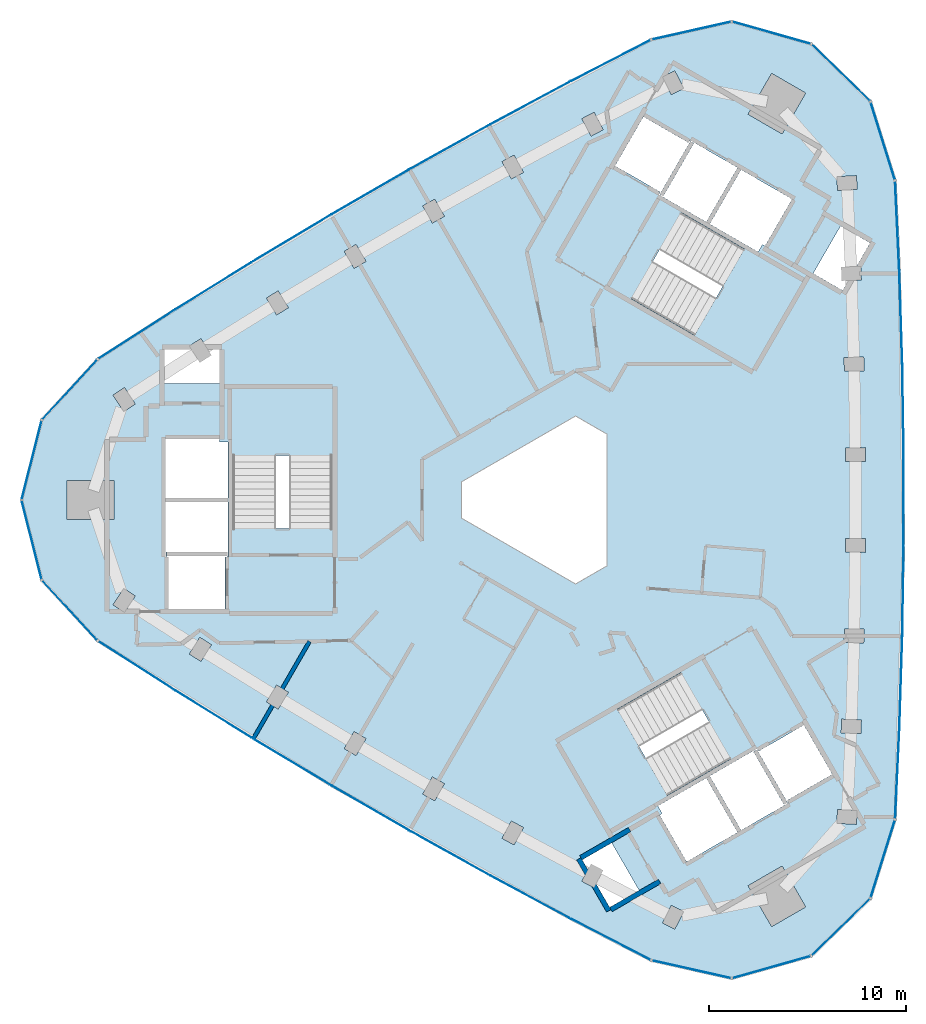
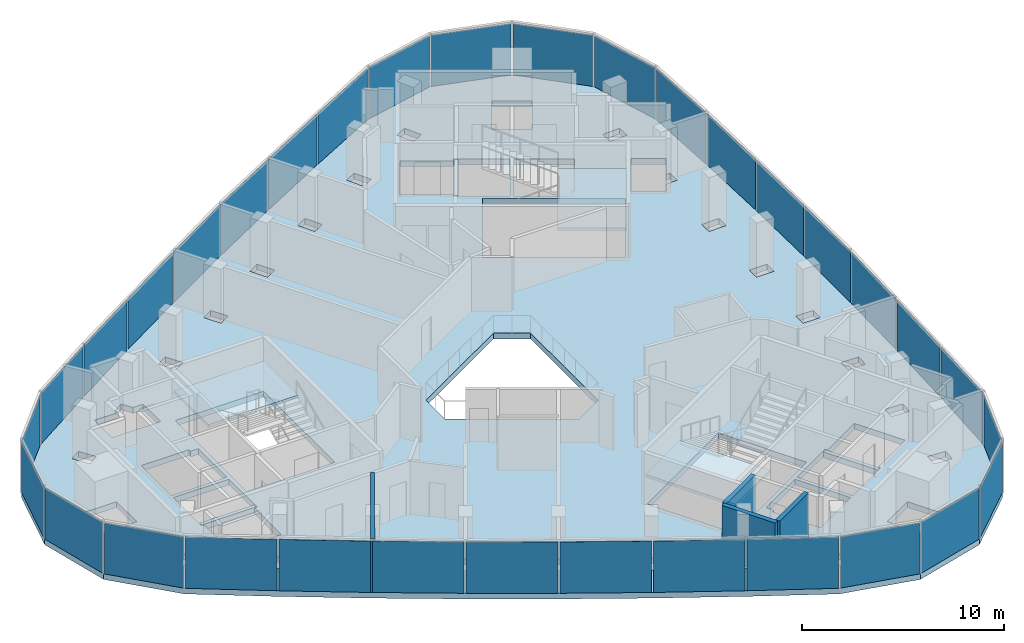
# One storey, part 5 of 10: 33 plates, 4 slabs, 4 walls, 6 elements without a shape of their own.
"""IFC4 building model written with IfcOpenShell, lengths in metres."""

from ifc_helpers import new_model, si_unit, direction, frame, frame_2d, origin, origin_2d, place, context, subcontext, project, spatial, polyline, rectangle, outline, extrude, material, layer, layer_set, type_object, element, aggregate, save


model = new_model("IFC4")

# Units and contexts
model_context = context("Model", 3, precision=1e-05, world=origin(), true_north=direction((0.0, 1.0)))
body_context = subcontext(model_context, "Body", "Model", "MODEL_VIEW")
ifc_project = project(units=[si_unit("LENGTHUNIT", "METRE"), si_unit("AREAUNIT", "SQUARE_METRE"), si_unit("VOLUMEUNIT", "CUBIC_METRE"), si_unit("PLANEANGLEUNIT", "RADIAN"), si_unit("MASSUNIT", "GRAM", prefix="KILO")], contexts=[model_context])

# Site, building, storey
site_placement = place(None, origin())
site = spatial("IfcSite", under=ifc_project, at=site_placement, CompositionType="ELEMENT")
building_placement = place(site_placement, origin())
building = spatial("IfcBuilding", under=site, at=building_placement, Name="Tamra Quay Hotel Tower", CompositionType="ELEMENT")
storey_placement = place(building_placement, frame((0.0, 0.0, 276.60009765625)))
storey = spatial("IfcBuildingStorey", under=building, at=storey_placement, Name="L70", CompositionType="ELEMENT", Elevation=276.60009765625)

# Stair, slab
ifc_material_1 = material(Name="Exit stair 2200 24 risers 150.0 going 342")
stair_type = type_object("IfcStairType", Name="Exit stair 2200 24 risers 150.0 going 342", PredefinedType="HALF_TURN_STAIR", material=ifc_material_1)
stair_1_placement = place(storey_placement, origin())
stair_1 = element("IfcStair", 1, at=stair_1_placement, inside=storey, type_object=stair_type, Name="L70 Exit stair ST3", PredefinedType="HALF_TURN_STAIR")
ifc_material_2 = material(Name="Concrete M70", Category="concrete")
ifc_layer_1 = layer(ifc_material_2, 0.175048828125)
ifc_layer_set_1 = layer_set([ifc_layer_1], Name="Concrete M70 stair landing 180")
slab_type_1 = type_object("IfcSlabType", Name="Concrete M70 stair landing 180", PredefinedType="LANDING", material=ifc_layer_set_1)
slab_1_placement = place(storey_placement, frame((0.0, 0.0, 1.625)))
slab_1 = element("IfcSlab", 2, at=slab_1_placement, type_object=slab_type_1, Name="ST3 landing 1", PredefinedType="LANDING", context=body_context, shape_type="SweptSolid", body=[
    extrude(outline(polyline([(-10.932373046875, 2.261962890625), (-10.932373046875, 5.679931640625), (-16.09130859375, 5.679931640625), (-16.09130859375, 2.261962890625), (-10.932373046875, 2.261962890625)])), origin(), (0.0, 0.0, 1.0), 0.1748046875),
])
aggregate(stair_1, [slab_1])

stair_2_placement = place(storey_placement, origin())
stair_2 = element("IfcStair", 3, at=stair_2_placement, inside=storey, type_object=stair_type, Name="L70 Exit stair ST1", PredefinedType="HALF_TURN_STAIR")
slab_2_placement = place(storey_placement, frame((0.0, 0.0, 1.625)))
slab_2 = element("IfcSlab", 4, at=slab_2_placement, type_object=slab_type_1, Name="ST1 landing 1", PredefinedType="LANDING", context=body_context, shape_type="SweptSolid", body=[
    extrude(outline(polyline([(7.425048828125, 8.336669921875), (10.385009765625, 6.627685546875), (12.964599609375, 11.095458984375), (10.00439453125, 12.804443359375), (7.425048828125, 8.336669921875)])), origin(), (0.0, 0.0, 1.0), 0.1748046875),
])
aggregate(stair_2, [slab_2])

stair_3_placement = place(storey_placement, origin())
stair_3 = element("IfcStair", 5, at=stair_3_placement, inside=storey, type_object=stair_type, Name="L70 Exit stair ST2", PredefinedType="HALF_TURN_STAIR")
slab_3_placement = place(storey_placement, frame((0.0, 0.0, 1.625)))
slab_3 = element("IfcSlab", 6, at=slab_3_placement, type_object=slab_type_1, Name="ST2 landing 1", PredefinedType="LANDING", context=body_context, shape_type="SweptSolid", body=[
    extrude(outline(polyline([(3.50732421875, -10.5986328125), (0.547119140625, -12.3076171875), (3.126708984375, -16.775390625), (6.086669921875, -15.06640625), (3.50732421875, -10.5986328125)])), origin(), (0.0, 0.0, 1.0), 0.1748046875),
])
aggregate(stair_3, [slab_3])

# Slab
ifc_material_3 = material(Name="Concrete M60", Category="concrete")
ifc_layer_2 = layer(ifc_material_3, 0.35009765625)
ifc_layer_set_2 = layer_set([ifc_layer_2], Name="FLOOR SLAB PT 350")
slab_type_2 = type_object("IfcSlabType", Name="FLOOR SLAB PT 350", PredefinedType="FLOOR", material=ifc_layer_set_2)
slab_4_placement = place(storey_placement, frame((0.0, 0.0, -0.35009765625)))
element("IfcSlab", 7, at=slab_4_placement, inside=storey, type_object=slab_type_2, Name="SLAB-L70", PredefinedType="FLOOR", context=body_context, shape_type="SweptSolid", body=[
    extrude(outline(polyline([(17.8662109375, 11.60986328125), (18.011474609375, 6.968017578125), (18.083984375, 2.322998046875), (18.083984375, -2.322998046875), (18.011474609375, -6.968017578125), (17.8662109375, -11.60986328125), (17.648681640625, -16.25146484375), (16.39599609375, -20.2587890625), (13.38671875, -23.186279296875), (9.346435546875, -24.32861328125), (5.249755859375, -23.409912109375), (1.121337890625, -21.277587890625), (-2.97119140625, -19.08251953125), (-7.0302734375, -16.82275390625), (-11.0537109375, -14.499755859375), (-15.040283203125, -12.1142578125), (-18.98779296875, -9.667724609375), (-22.898681640625, -7.15869140625), (-25.742431640625, -4.070068359375), (-26.7734375, 0.0), (-25.742431640625, 4.070068359375), (-22.898681640625, 7.15869140625), (-18.98779296875, 9.667724609375), (-15.040283203125, 12.1142578125), (-11.0537109375, 14.499755859375), (-7.0302734375, 16.82275390625), (-2.97119140625, 19.08251953125), (1.121337890625, 21.277587890625), (5.249755859375, 23.409912109375), (9.346435546875, 24.32861328125), (13.38671875, 23.186279296875), (16.39599609375, 20.2587890625), (17.648681640625, 16.25146484375), (17.8662109375, 11.60986328125)]), holes=[polyline([(-10.3671875, -12.641357421875), (-9.763671875, -12.99609375), (-9.2568359375, -12.13427734375), (-9.8603515625, -11.779296875), (-10.3671875, -12.641357421875)]), polyline([(-14.324462890625, -10.26708984375), (-13.7265625, -10.63134765625), (-13.206298828125, -9.77734375), (-13.803955078125, -9.4130859375), (-14.324462890625, -10.26708984375)]), polyline([(-18.244140625, -7.831298828125), (-17.652099609375, -8.20458984375), (-17.118896484375, -7.358642578125), (-17.7109375, -6.9853515625), (-18.244140625, -7.831298828125)]), polyline([(-21.57861328125, -4.497314453125), (-22.125244140625, -5.33447265625), (-21.539306640625, -5.71728515625), (-20.992431640625, -4.880126953125), (-21.57861328125, -4.497314453125)]), polyline([(-16.3173828125, -2.85498046875), (-19.4072265625, -2.85498046875), (-19.4072265625, -2.89306640625), (-19.307373046875, -2.89306640625), (-19.307373046875, -5.544921875), (-16.417236328125, -5.544921875), (-16.417236328125, -2.89306640625), (-16.3173828125, -2.89306640625), (-16.3173828125, -2.85498046875)]), polyline([(-19.417236328125, -2.64501953125), (-16.307373046875, -2.64501953125), (-16.307373046875, -2.89306640625), (-16.26708984375, -2.89306640625), (-16.26708984375, -0.10498046875), (-19.45751953125, -0.10498046875), (-19.45751953125, -2.89306640625), (-19.417236328125, -2.89306640625), (-19.417236328125, -2.64501953125)]), polyline([(-24.473388671875, 1.0), (-24.473388671875, -1.0), (-22.073486328125, -1.0), (-22.073486328125, 1.0), (-24.473388671875, 1.0)]), polyline([(-16.707275390625, 2.945068359375), (-16.707275390625, 3.09521484375), (-19.45751953125, 3.09521484375), (-19.45751953125, 0.10498046875), (-16.26708984375, 0.10498046875), (-16.26708984375, 2.945068359375), (-16.707275390625, 2.945068359375)]), polyline([(-16.036376953125, -1.455078125), (-10.9873046875, -1.455078125), (-10.9873046875, 5.625), (-16.036376953125, 5.625), (-16.036376953125, -1.455078125)]), polyline([(-20.992431640625, 4.880126953125), (-21.539306640625, 5.71728515625), (-22.125244140625, 5.33447265625), (-21.57861328125, 4.497314453125), (-20.992431640625, 4.880126953125)]), polyline([(-17.29931640625, 7.64501953125), (-17.652099609375, 8.20458984375), (-18.244140625, 7.831298828125), (-18.126708984375, 7.64501953125), (-19.50732421875, 7.64501953125), (-19.50732421875, 5.9150390625), (-16.71728515625, 5.9150390625), (-16.71728515625, 7.64501953125), (-17.29931640625, 7.64501953125)]), polyline([(-13.7265625, 10.63134765625), (-14.324462890625, 10.26708984375), (-13.803955078125, 9.4130859375), (-13.206298828125, 9.77734375), (-13.7265625, 10.63134765625)]), polyline([(-9.2568359375, 12.13427734375), (-9.763671875, 12.99609375), (-10.3671875, 12.641357421875), (-9.8603515625, 11.779296875), (-9.2568359375, 12.13427734375)]), polyline([(-5.271240234375, 14.428955078125), (-5.764404296875, 15.298828125), (-6.373291015625, 14.95361328125), (-5.880126953125, 14.083740234375), (-5.271240234375, 14.428955078125)]), polyline([(5.818359375, -21.51220703125), (6.44287109375, -21.828369140625), (6.89453125, -20.936279296875), (6.27001953125, -20.6201171875), (5.818359375, -21.51220703125)]), polyline([(3.236083984375, -17.43505859375), (1.73779296875, -18.300048828125), (2.02880859375, -18.80419921875), (1.720703125, -19.389404296875), (2.33984375, -19.715576171875), (2.442626953125, -19.520751953125), (3.1328125, -20.71630859375), (4.631103515625, -19.851318359375), (3.236083984375, -17.43505859375)]), polyline([(-2.34375, -17.203369140625), (-1.7294921875, -17.538818359375), (-1.25, -16.6611328125), (-1.864501953125, -16.32568359375), (-2.34375, -17.203369140625)]), polyline([(5.5830078125, -15.560302734375), (5.80322265625, -15.94140625), (5.673095703125, -16.0166015625), (7.04833984375, -18.398193359375), (9.6376953125, -16.903076171875), (8.042724609375, -14.14013671875), (5.5830078125, -15.560302734375)]), polyline([(12.214111328125, -15.369384765625), (11.999267578125, -15.493408203125), (10.4443359375, -12.800048828125), (10.6591796875, -12.676025390625), (10.63916015625, -12.64111328125), (8.224609375, -14.03515625), (9.819580078125, -16.798095703125), (12.234130859375, -15.404052734375), (12.214111328125, -15.369384765625)]), polyline([(-6.373291015625, -14.95361328125), (-5.764404296875, -15.298828125), (-5.271240234375, -14.428955078125), (-5.880126953125, -14.083740234375), (-6.373291015625, -14.95361328125)]), polyline([(6.75390625, -8.78759765625), (0.622314453125, -12.32763671875), (3.146728515625, -16.7001953125), (9.2783203125, -13.160400390625), (6.75390625, -8.78759765625)]), polyline([(-4.39990234375, 0.923828125), (-4.39990234375, -0.923828125), (1.39990234375, -4.2724609375), (3.0, -3.3486328125), (3.0, 3.3486328125), (1.39990234375, 4.2724609375), (-4.39990234375, 0.923828125)]), polyline([(6.758056640625, 14.615478515625), (4.2333984375, 10.242919921875), (10.364990234375, 6.702880859375), (12.889404296875, 11.075439453125), (6.758056640625, 14.615478515625)]), polyline([(7.203125, 18.262451171875), (7.41796875, 18.138427734375), (5.863037109375, 15.445068359375), (5.648193359375, 15.569091796875), (5.628173828125, 15.5341796875), (8.04248046875, 14.140380859375), (9.6376953125, 16.903076171875), (7.22314453125, 18.297119140625), (7.203125, 18.262451171875)]), polyline([(-1.7294921875, 17.538818359375), (-2.34375, 17.203369140625), (-1.864501953125, 16.32568359375), (-1.25, 16.6611328125), (-1.7294921875, 17.538818359375)]), polyline([(5.68603515625, 15.55859375), (7.231201171875, 18.234619140625), (7.1982421875, 18.253662109375), (7.148193359375, 18.1669921875), (4.8515625, 19.4931640625), (3.406494140625, 16.990234375), (5.703125, 15.664306640625), (5.6533203125, 15.57763671875), (5.68603515625, 15.55859375)]), polyline([(2.805908203125, 18.830810546875), (2.33984375, 19.715576171875), (1.720703125, 19.389404296875), (2.186767578125, 18.504638671875), (2.805908203125, 18.830810546875)]), polyline([(6.44287109375, 21.828369140625), (5.818359375, 21.51220703125), (6.27001953125, 20.6201171875), (6.89453125, 20.936279296875), (6.44287109375, 21.828369140625)]), polyline([(10.170654296875, -19.6162109375), (11.37060546875, -21.694580078125), (13.102783203125, -20.694580078125), (11.902587890625, -18.6162109375), (10.170654296875, -19.6162109375)]), polyline([(14.68408203125, -16.43896484375), (15.6826171875, -16.493896484375), (15.720947265625, -15.794921875), (14.722412109375, -15.739990234375), (14.68408203125, -16.43896484375)]), polyline([(12.176025390625, -15.379638671875), (12.208984375, -15.360595703125), (12.1591796875, -15.274169921875), (14.455810546875, -13.947998046875), (13.0107421875, -11.4453125), (10.714111328125, -12.771240234375), (10.6640625, -12.6845703125), (10.631103515625, -12.70361328125), (12.176025390625, -15.379638671875)]), polyline([(15.904296875, -11.88427734375), (15.931396484375, -11.184814453125), (14.93212890625, -11.14599609375), (14.905029296875, -11.845703125), (15.904296875, -11.88427734375)]), polyline([(16.0537109375, -7.271728515625), (16.0703125, -6.572021484375), (15.070556640625, -6.548095703125), (15.053955078125, -7.247802734375), (16.0537109375, -7.271728515625)]), polyline([(15.13134765625, -2.6494140625), (16.13134765625, -2.657470703125), (16.136962890625, -1.95751953125), (15.136962890625, -1.94970703125), (15.13134765625, -2.6494140625)]), polyline([(15.136962890625, 1.94970703125), (16.136962890625, 1.95751953125), (16.13134765625, 2.657470703125), (15.13134765625, 2.6494140625), (15.136962890625, 1.94970703125)]), polyline([(16.0703125, 6.572021484375), (16.0537109375, 7.271728515625), (15.053955078125, 7.247802734375), (15.070556640625, 6.548095703125), (16.0703125, 6.572021484375)]), polyline([(13.481201171875, 11.52001953125), (14.9794921875, 10.655029296875), (15.2705078125, 11.1591796875), (15.931396484375, 11.184814453125), (15.904296875, 11.88427734375), (15.68408203125, 11.875732421875), (16.37451171875, 13.0712890625), (14.876220703125, 13.936279296875), (13.481201171875, 11.52001953125)]), polyline([(10.904052734375, 12.996337890625), (11.0341796875, 12.92138671875), (12.4091796875, 15.302978515625), (9.819580078125, 16.798095703125), (8.224365234375, 14.035400390625), (10.68408203125, 12.615234375), (10.904052734375, 12.996337890625)]), polyline([(14.722412109375, 15.739990234375), (15.720947265625, 15.794921875), (15.6826171875, 16.493896484375), (14.68408203125, 16.43896484375), (14.722412109375, 15.739990234375)]), polyline([(11.902587890625, 18.6162109375), (13.102783203125, 20.694580078125), (11.37060546875, 21.694580078125), (10.170654296875, 19.6162109375), (11.902587890625, 18.6162109375)])]), origin(), (0.0, 0.0, 1.0), 0.35009765625),
])

# Curtain wall, plates
ifc_material_4 = material(Name="Aluminium 6063 anodised dark grey", Category="aluminium")
curtain_wall_type_1 = type_object("IfcCurtainWallType", Name="CW1 CURTAIN WALL", PredefinedType="NOTDEFINED", material=ifc_material_4)
curtain_wall_1_placement = place(storey_placement, origin())
curtain_wall_1 = element("IfcCurtainWall", 8, at=curtain_wall_1_placement, inside=storey, type_object=curtain_wall_type_1, Name="CW1 east face L70", PredefinedType="NOTDEFINED")
ifc_material_5 = material(Name="Glass clear laminated low-iron", Category="glass")
ifc_layer_3 = layer(ifc_material_5, 0.02587890625)
ifc_layer_set_3 = layer_set([ifc_layer_3], Name="GLASS PANEL CW1 Z6")
plate_type_1 = type_object("IfcPlateType", Name="GLASS PANEL CW1 Z6", PredefinedType="CURTAIN_PANEL", material=ifc_layer_set_3)
plate_1_placement = place(storey_placement, frame((17.757568359375, -13.9306640625, 0.0), z_axis=(0.0, 0.0, 1.0), x_axis=(0.046821223335, 0.998903285131, 0.0)))
plate_1 = element("IfcPlate", 9, at=plate_1_placement, type_object=plate_type_1, Name="CW1 glass L70.E.1", PredefinedType="CURTAIN_PANEL", context=body_context, shape_type="SweptSolid", body=[
    extrude(rectangle(XDim=4.546630859375, YDim=0.02587890625, at=origin_2d()), origin(), (0.0, 0.0, 1.0), 3.110107421875),
])
plate_2_placement = place(storey_placement, frame((17.93896484375, -9.2890625, 0.0), z_axis=(0.0, 0.0, 1.0), x_axis=(0.03124175898, 0.999511857106, 0.0)))
plate_2 = element("IfcPlate", 10, at=plate_2_placement, type_object=plate_type_1, Name="CW1 glass L70.E.2", PredefinedType="CURTAIN_PANEL", context=body_context, shape_type="SweptSolid", body=[
    extrude(rectangle(XDim=4.544189453125, YDim=0.02587890625, at=origin_2d()), origin(), (0.0, 0.0, 1.0), 3.110107421875),
])
plate_3_placement = place(storey_placement, frame((18.0478515625, -4.6455078125, 0.0), z_axis=(0.0, 0.0, 1.0), x_axis=(0.015632917878, 0.999877798473, 0.0)))
plate_3 = element("IfcPlate", 11, at=plate_3_placement, type_object=plate_type_1, Name="CW1 glass L70.E.3", PredefinedType="CURTAIN_PANEL", context=body_context, shape_type="SweptSolid", body=[
    extrude(rectangle(XDim=4.5458984375, YDim=0.02587890625, at=origin_2d()), origin(), (0.0, 0.0, 1.0), 3.110107421875),
])
plate_4_placement = place(storey_placement, frame((18.083984375, 0.0, 0.0), z_axis=(0.0, 0.0, 1.0), x_axis=(0.0, 1.0, 0.0)))
plate_4 = element("IfcPlate", 12, at=plate_4_placement, type_object=plate_type_1, Name="CW1 glass L70.E.4", PredefinedType="CURTAIN_PANEL", context=body_context, shape_type="SweptSolid", body=[
    extrude(rectangle(XDim=4.5458984375, YDim=0.02587890625, at=origin_2d()), origin(), (0.0, 0.0, 1.0), 3.110107421875),
])
plate_5_placement = place(storey_placement, frame((18.0478515625, 4.6455078125, 0.0), z_axis=(0.0, 0.0, 1.0), x_axis=(-0.015632917878, 0.999877798473, 0.0)))
plate_5 = element("IfcPlate", 13, at=plate_5_placement, type_object=plate_type_1, Name="CW1 glass L70.E.5", PredefinedType="CURTAIN_PANEL", context=body_context, shape_type="SweptSolid", body=[
    extrude(rectangle(XDim=4.5458984375, YDim=0.02587890625, at=origin_2d()), origin(), (0.0, 0.0, 1.0), 3.110107421875),
])
plate_6_placement = place(storey_placement, frame((17.93896484375, 9.2890625, 0.0), z_axis=(0.0, 0.0, 1.0), x_axis=(-0.03124175898, 0.999511857106, 0.0)))
plate_6 = element("IfcPlate", 14, at=plate_6_placement, type_object=plate_type_1, Name="CW1 glass L70.E.6", PredefinedType="CURTAIN_PANEL", context=body_context, shape_type="SweptSolid", body=[
    extrude(rectangle(XDim=4.544189453125, YDim=0.02587890625, at=origin_2d()), origin(), (0.0, 0.0, 1.0), 3.110107421875),
])
plate_7_placement = place(storey_placement, frame((17.757568359375, 13.9306640625, 0.0), z_axis=(0.0, 0.0, 1.0), x_axis=(-0.046821223335, 0.998903285131, 0.0)))
plate_7 = element("IfcPlate", 15, at=plate_7_placement, type_object=plate_type_1, Name="CW1 glass L70.E.7", PredefinedType="CURTAIN_PANEL", context=body_context, shape_type="SweptSolid", body=[
    extrude(rectangle(XDim=4.546630859375, YDim=0.02587890625, at=origin_2d()), origin(), (0.0, 0.0, 1.0), 3.110107421875),
])
plate_8_placement = place(storey_placement, frame((17.0224609375, 18.255126953125, 0.0), z_axis=(0.0, 0.0, 1.0), x_axis=(-0.29839239288, 0.954443282689, 0.0)))
plate_8 = element("IfcPlate", 16, at=plate_8_placement, type_object=plate_type_1, Name="CW1 glass L70.E.8", PredefinedType="CURTAIN_PANEL", context=body_context, shape_type="SweptSolid", body=[
    extrude(rectangle(XDim=4.098388671875, YDim=0.02587890625, at=origin_2d()), origin(), (0.0, 0.0, 1.0), 3.110107421875),
])
plate_9_placement = place(storey_placement, frame((14.891357421875, 21.72265625, 0.0), z_axis=(0.0, 0.0, 1.0), x_axis=(-0.716752699854, 0.69732744622, 0.0)))
plate_9 = element("IfcPlate", 17, at=plate_9_placement, type_object=plate_type_1, Name="CW1 glass L70.E.9", PredefinedType="CURTAIN_PANEL", context=body_context, shape_type="SweptSolid", body=[
    extrude(rectangle(XDim=4.098388671875, YDim=0.02587890625, at=origin_2d()), origin(), (0.0, 0.0, 1.0), 3.110107421875),
])
plate_10_placement = place(storey_placement, frame((11.36669921875, 23.757568359375, 0.0), z_axis=(0.0, 0.0, 1.0), x_axis=(-0.96227963311, 0.272062323195, 0.0)))
plate_10 = element("IfcPlate", 18, at=plate_10_placement, type_object=plate_type_1, Name="CW1 glass L70.E.10", PredefinedType="CURTAIN_PANEL", context=body_context, shape_type="SweptSolid", body=[
    extrude(rectangle(XDim=4.098388671875, YDim=0.02587890625, at=origin_2d()), origin(), (0.0, 0.0, 1.0), 3.110107421875),
])
plate_11_placement = place(storey_placement, frame((7.298095703125, 23.869384765625, 0.0), z_axis=(0.0, 0.0, 1.0), x_axis=(-0.975768325721, -0.218806248814, 0.0)))
plate_11 = element("IfcPlate", 19, at=plate_11_placement, type_object=plate_type_1, Name="CW1 glass L70.E.11", PredefinedType="CURTAIN_PANEL", context=body_context, shape_type="SweptSolid", body=[
    extrude(rectangle(XDim=4.098388671875, YDim=0.02587890625, at=origin_2d()), origin(), (0.0, 0.0, 1.0), 3.110107421875),
])
aggregate(curtain_wall_1, [plate_1, plate_2, plate_3, plate_4, plate_5, plate_6, plate_7, plate_8, plate_9, plate_10, plate_11])

curtain_wall_type_2 = type_object("IfcCurtainWallType", Name="CW2 CURTAIN WALL", PredefinedType="NOTDEFINED", material=ifc_material_4)
curtain_wall_2_placement = place(storey_placement, origin())
curtain_wall_2 = element("IfcCurtainWall", 20, at=curtain_wall_2_placement, inside=storey, type_object=curtain_wall_type_2, Name="CW2 north-west face L70", PredefinedType="NOTDEFINED")
ifc_layer_4 = layer(ifc_material_5, 0.02587890625)
ifc_layer_set_4 = layer_set([ifc_layer_4], Name="GLASS PANEL CW2 Z6")
plate_type_2 = type_object("IfcPlateType", Name="GLASS PANEL CW2 Z6", PredefinedType="CURTAIN_PANEL", material=ifc_layer_set_4)
plate_12_placement = place(storey_placement, frame((3.185546875, 22.34375, 0.0), z_axis=(0.0, 0.0, 1.0), x_axis=(-0.888486232515, -0.458903273721, 0.0)))
plate_12 = element("IfcPlate", 21, at=plate_12_placement, type_object=plate_type_2, Name="CW2 glass L70.NW.1", PredefinedType="CURTAIN_PANEL", context=body_context, shape_type="SweptSolid", body=[
    extrude(rectangle(XDim=4.546630859375, YDim=0.02587890625, at=origin_2d()), origin(), (0.0, 0.0, 1.0), 3.110107421875),
])
plate_13_placement = place(storey_placement, frame((-0.9248046875, 20.18017578125, 0.0), z_axis=(0.0, 0.0, 1.0), x_axis=(-0.881223539128, -0.472699771618, 0.0)))
plate_13 = element("IfcPlate", 22, at=plate_13_placement, type_object=plate_type_2, Name="CW2 glass L70.NW.2", PredefinedType="CURTAIN_PANEL", context=body_context, shape_type="SweptSolid", body=[
    extrude(rectangle(XDim=4.544189453125, YDim=0.02587890625, at=origin_2d()), origin(), (0.0, 0.0, 1.0), 3.110107421875),
])
plate_14_placement = place(storey_placement, frame((-5.000732421875, 17.95263671875, 0.0), z_axis=(0.0, 0.0, 1.0), x_axis=(-0.873736033097, -0.486400395218, 0.0)))
plate_14 = element("IfcPlate", 23, at=plate_14_placement, type_object=plate_type_2, Name="CW2 glass L70.NW.3", PredefinedType="CURTAIN_PANEL", context=body_context, shape_type="SweptSolid", body=[
    extrude(rectangle(XDim=4.5458984375, YDim=0.02587890625, at=origin_2d()), origin(), (0.0, 0.0, 1.0), 3.110107421875),
])
plate_15_placement = place(storey_placement, frame((-9.0419921875, 15.661376953125, 0.0), z_axis=(0.0, 0.0, 1.0), x_axis=(-0.866025403784, -0.5, 0.0)))
plate_15 = element("IfcPlate", 24, at=plate_15_placement, type_object=plate_type_2, Name="CW2 glass L70.NW.4", PredefinedType="CURTAIN_PANEL", context=body_context, shape_type="SweptSolid", body=[
    extrude(rectangle(XDim=4.5458984375, YDim=0.02587890625, at=origin_2d()), origin(), (0.0, 0.0, 1.0), 3.110107421875),
])
plate_16_placement = place(storey_placement, frame((-13.047119140625, 13.30712890625, 0.0), z_axis=(0.0, 0.0, 1.0), x_axis=(-0.858103115218, -0.513477403254, 0.0)))
plate_16 = element("IfcPlate", 25, at=plate_16_placement, type_object=plate_type_2, Name="CW2 glass L70.NW.5", PredefinedType="CURTAIN_PANEL", context=body_context, shape_type="SweptSolid", body=[
    extrude(rectangle(XDim=4.5458984375, YDim=0.02587890625, at=origin_2d()), origin(), (0.0, 0.0, 1.0), 3.110107421875),
])
plate_17_placement = place(storey_placement, frame((-17.013916015625, 10.89111328125, 0.0), z_axis=(0.0, 0.0, 1.0), x_axis=(-0.849981780148, -0.526812085489, 0.0)))
plate_17 = element("IfcPlate", 26, at=plate_17_placement, type_object=plate_type_2, Name="CW2 glass L70.NW.6", PredefinedType="CURTAIN_PANEL", context=body_context, shape_type="SweptSolid", body=[
    extrude(rectangle(XDim=4.544189453125, YDim=0.02587890625, at=origin_2d()), origin(), (0.0, 0.0, 1.0), 3.110107421875),
])
plate_18_placement = place(storey_placement, frame((-20.943115234375, 8.4130859375, 0.0), z_axis=(0.0, 0.0, 1.0), x_axis=(-0.841665009179, -0.54000001141, 0.0)))
plate_18 = element("IfcPlate", 27, at=plate_18_placement, type_object=plate_type_2, Name="CW2 glass L70.NW.7", PredefinedType="CURTAIN_PANEL", context=body_context, shape_type="SweptSolid", body=[
    extrude(rectangle(XDim=4.546630859375, YDim=0.02587890625, at=origin_2d()), origin(), (0.0, 0.0, 1.0), 3.110107421875),
])
plate_19_placement = place(storey_placement, frame((-24.320556640625, 5.6142578125, 0.0), z_axis=(0.0, 0.0, 1.0), x_axis=(-0.67737593284, -0.735637033875, 0.0)))
plate_19 = element("IfcPlate", 28, at=plate_19_placement, type_object=plate_type_2, Name="CW2 glass L70.NW.8", PredefinedType="CURTAIN_PANEL", context=body_context, shape_type="SweptSolid", body=[
    extrude(rectangle(XDim=4.098388671875, YDim=0.02587890625, at=origin_2d()), origin(), (0.0, 0.0, 1.0), 3.110107421875),
])
plate_20_placement = place(storey_placement, frame((-26.258056640625, 2.034912109375, 0.0), z_axis=(0.0, 0.0, 1.0), x_axis=(-0.245526933255, -0.969389769415, 0.0)))
plate_20 = element("IfcPlate", 29, at=plate_20_placement, type_object=plate_type_2, Name="CW2 glass L70.NW.9", PredefinedType="CURTAIN_PANEL", context=body_context, shape_type="SweptSolid", body=[
    extrude(rectangle(XDim=4.098388671875, YDim=0.02587890625, at=origin_2d()), origin(), (0.0, 0.0, 1.0), 3.110107421875),
])
plate_21_placement = place(storey_placement, frame((-26.258056640625, -2.034912109375, 0.0), z_axis=(0.0, 0.0, 1.0), x_axis=(0.245526933255, -0.969389769415, 0.0)))
plate_21 = element("IfcPlate", 30, at=plate_21_placement, type_object=plate_type_2, Name="CW2 glass L70.NW.10", PredefinedType="CURTAIN_PANEL", context=body_context, shape_type="SweptSolid", body=[
    extrude(rectangle(XDim=4.098388671875, YDim=0.02587890625, at=origin_2d()), origin(), (0.0, 0.0, 1.0), 3.110107421875),
])
plate_22_placement = place(storey_placement, frame((-24.320556640625, -5.6142578125, 0.0), z_axis=(0.0, 0.0, 1.0), x_axis=(0.67737593284, -0.735637033875, 0.0)))
plate_22 = element("IfcPlate", 31, at=plate_22_placement, type_object=plate_type_2, Name="CW2 glass L70.NW.11", PredefinedType="CURTAIN_PANEL", context=body_context, shape_type="SweptSolid", body=[
    extrude(rectangle(XDim=4.098388671875, YDim=0.02587890625, at=origin_2d()), origin(), (0.0, 0.0, 1.0), 3.110107421875),
])
aggregate(curtain_wall_2, [plate_12, plate_13, plate_14, plate_15, plate_16, plate_17, plate_18, plate_19, plate_20, plate_21, plate_22])

curtain_wall_type_3 = type_object("IfcCurtainWallType", Name="CW3 CURTAIN WALL", PredefinedType="NOTDEFINED", material=ifc_material_4)
curtain_wall_3_placement = place(storey_placement, origin())
curtain_wall_3 = element("IfcCurtainWall", 32, at=curtain_wall_3_placement, inside=storey, type_object=curtain_wall_type_3, Name="CW3 south-west face L70", PredefinedType="NOTDEFINED")
ifc_layer_5 = layer(ifc_material_5, 0.02587890625)
ifc_layer_set_5 = layer_set([ifc_layer_5], Name="GLASS PANEL CW3 Z6")
plate_type_3 = type_object("IfcPlateType", Name="GLASS PANEL CW3 Z6", PredefinedType="CURTAIN_PANEL", material=ifc_layer_set_5)
plate_23_placement = place(storey_placement, frame((-20.943115234375, -8.4130859375, 0.0), z_axis=(0.0, 0.0, 1.0), x_axis=(0.841665009179, -0.54000001141, 0.0)))
plate_23 = element("IfcPlate", 33, at=plate_23_placement, type_object=plate_type_3, Name="CW3 glass L70.SW.1", PredefinedType="CURTAIN_PANEL", context=body_context, shape_type="SweptSolid", body=[
    extrude(rectangle(XDim=4.546630859375, YDim=0.02587890625, at=origin_2d()), origin(), (0.0, 0.0, 1.0), 3.110107421875),
])
plate_24_placement = place(storey_placement, frame((-17.013916015625, -10.89111328125, 0.0), z_axis=(0.0, 0.0, 1.0), x_axis=(0.849981780148, -0.526812085489, 0.0)))
plate_24 = element("IfcPlate", 34, at=plate_24_placement, type_object=plate_type_3, Name="CW3 glass L70.SW.2", PredefinedType="CURTAIN_PANEL", context=body_context, shape_type="SweptSolid", body=[
    extrude(rectangle(XDim=4.544189453125, YDim=0.02587890625, at=origin_2d()), origin(), (0.0, 0.0, 1.0), 3.110107421875),
])
plate_25_placement = place(storey_placement, frame((-13.047119140625, -13.30712890625, 0.0), z_axis=(0.0, 0.0, 1.0), x_axis=(0.858103115218, -0.513477403254, 0.0)))
plate_25 = element("IfcPlate", 35, at=plate_25_placement, type_object=plate_type_3, Name="CW3 glass L70.SW.3", PredefinedType="CURTAIN_PANEL", context=body_context, shape_type="SweptSolid", body=[
    extrude(rectangle(XDim=4.5458984375, YDim=0.02587890625, at=origin_2d()), origin(), (0.0, 0.0, 1.0), 3.110107421875),
])
plate_26_placement = place(storey_placement, frame((-9.0419921875, -15.661376953125, 0.0), z_axis=(0.0, 0.0, 1.0), x_axis=(0.866025403784, -0.5, 0.0)))
plate_26 = element("IfcPlate", 36, at=plate_26_placement, type_object=plate_type_3, Name="CW3 glass L70.SW.4", PredefinedType="CURTAIN_PANEL", context=body_context, shape_type="SweptSolid", body=[
    extrude(rectangle(XDim=4.5458984375, YDim=0.02587890625, at=origin_2d()), origin(), (0.0, 0.0, 1.0), 3.110107421875),
])
plate_27_placement = place(storey_placement, frame((-5.000732421875, -17.95263671875, 0.0), z_axis=(0.0, 0.0, 1.0), x_axis=(0.873736033097, -0.486400395218, 0.0)))
plate_27 = element("IfcPlate", 37, at=plate_27_placement, type_object=plate_type_3, Name="CW3 glass L70.SW.5", PredefinedType="CURTAIN_PANEL", context=body_context, shape_type="SweptSolid", body=[
    extrude(rectangle(XDim=4.5458984375, YDim=0.02587890625, at=origin_2d()), origin(), (0.0, 0.0, 1.0), 3.110107421875),
])
plate_28_placement = place(storey_placement, frame((-0.9248046875, -20.18017578125, 0.0), z_axis=(0.0, 0.0, 1.0), x_axis=(0.881223539128, -0.472699771618, 0.0)))
plate_28 = element("IfcPlate", 38, at=plate_28_placement, type_object=plate_type_3, Name="CW3 glass L70.SW.6", PredefinedType="CURTAIN_PANEL", context=body_context, shape_type="SweptSolid", body=[
    extrude(rectangle(XDim=4.544189453125, YDim=0.02587890625, at=origin_2d()), origin(), (0.0, 0.0, 1.0), 3.110107421875),
])
plate_29_placement = place(storey_placement, frame((3.185546875, -22.34375, 0.0), z_axis=(0.0, 0.0, 1.0), x_axis=(0.888486232515, -0.458903273721, 0.0)))
plate_29 = element("IfcPlate", 39, at=plate_29_placement, type_object=plate_type_3, Name="CW3 glass L70.SW.7", PredefinedType="CURTAIN_PANEL", context=body_context, shape_type="SweptSolid", body=[
    extrude(rectangle(XDim=4.546630859375, YDim=0.02587890625, at=origin_2d()), origin(), (0.0, 0.0, 1.0), 3.110107421875),
])
plate_30_placement = place(storey_placement, frame((7.298095703125, -23.869384765625, 0.0), z_axis=(0.0, 0.0, 1.0), x_axis=(0.975768325721, -0.218806248814, 0.0)))
plate_30 = element("IfcPlate", 40, at=plate_30_placement, type_object=plate_type_3, Name="CW3 glass L70.SW.8", PredefinedType="CURTAIN_PANEL", context=body_context, shape_type="SweptSolid", body=[
    extrude(rectangle(XDim=4.098388671875, YDim=0.02587890625, at=origin_2d()), origin(), (0.0, 0.0, 1.0), 3.110107421875),
])
plate_31_placement = place(storey_placement, frame((11.36669921875, -23.757568359375, 0.0), z_axis=(0.0, 0.0, 1.0), x_axis=(0.96227963311, 0.272062323195, 0.0)))
plate_31 = element("IfcPlate", 41, at=plate_31_placement, type_object=plate_type_3, Name="CW3 glass L70.SW.9", PredefinedType="CURTAIN_PANEL", context=body_context, shape_type="SweptSolid", body=[
    extrude(rectangle(XDim=4.098388671875, YDim=0.02587890625, at=origin_2d()), origin(), (0.0, 0.0, 1.0), 3.110107421875),
])
plate_32_placement = place(storey_placement, frame((14.891357421875, -21.72265625, 0.0), z_axis=(0.0, 0.0, 1.0), x_axis=(0.716752699854, 0.69732744622, 0.0)))
plate_32 = element("IfcPlate", 42, at=plate_32_placement, type_object=plate_type_3, Name="CW3 glass L70.SW.10", PredefinedType="CURTAIN_PANEL", context=body_context, shape_type="SweptSolid", body=[
    extrude(rectangle(XDim=4.098388671875, YDim=0.02587890625, at=origin_2d()), origin(), (0.0, 0.0, 1.0), 3.110107421875),
])
plate_33_placement = place(storey_placement, frame((17.0224609375, -18.255126953125, 0.0), z_axis=(0.0, 0.0, 1.0), x_axis=(0.29839239288, 0.954443282689, 0.0)))
plate_33 = element("IfcPlate", 43, at=plate_33_placement, type_object=plate_type_3, Name="CW3 glass L70.SW.11", PredefinedType="CURTAIN_PANEL", context=body_context, shape_type="SweptSolid", body=[
    extrude(rectangle(XDim=4.098388671875, YDim=0.02587890625, at=origin_2d()), origin(), (0.0, 0.0, 1.0), 3.110107421875),
])
aggregate(curtain_wall_3, [plate_23, plate_24, plate_25, plate_26, plate_27, plate_28, plate_29, plate_30, plate_31, plate_32, plate_33])

# Walls
ifc_layer_6 = layer(ifc_material_2, 0.25)
ifc_layer_set_6 = layer_set([ifc_layer_6], Name="Concrete M70 core wall 250")
wall_type_1 = type_object("IfcWallType", Name="Concrete M70 core wall 250", PredefinedType="SHEAR", material=ifc_layer_set_6)
wall_1_placement = place(storey_placement, frame((3.085205078125, -20.893798828125, 0.0), z_axis=(0.0, 0.0, 1.0), x_axis=(-0.499978833458, 0.866037623948, 0.0)))
element("IfcWall", 44, at=wall_1_placement, inside=storey, type_object=wall_type_1, Name="CW1", PredefinedType="SHEAR", context=body_context, shape_type="SweptSolid", body=[
    extrude(rectangle(XDim=3.050048828125, YDim=0.25, at=frame_2d((1.52490234375, 0.0))), origin(), (0.0, 0.0, 1.0), 3.25),
])
wall_2_placement = place(storey_placement, frame((1.6689453125, -18.189697265625, 0.0), z_axis=(0.0, 0.0, 1.0), x_axis=(0.866042235819, 0.499970844928, 0.0)))
element("IfcWall", 45, at=wall_2_placement, inside=storey, type_object=wall_type_1, Name="CW1", PredefinedType="SHEAR", context=body_context, shape_type="SweptSolid", body=[
    extrude(rectangle(XDim=2.864501953125, YDim=0.25, at=frame_2d((1.43212890625, 0.0))), origin(), (0.0, 0.0, 1.0), 3.25),
])
wall_3_placement = place(storey_placement, frame((5.6748046875, -19.39892578125, 0.0), z_axis=(0.0, 0.0, 1.0), x_axis=(-0.866026637627, -0.499997862916, 0.0)))
element("IfcWall", 46, at=wall_3_placement, inside=storey, type_object=wall_type_1, Name="CW1", PredefinedType="SHEAR", context=body_context, shape_type="SweptSolid", body=[
    extrude(rectangle(XDim=2.86474609375, YDim=0.25, at=frame_2d((1.432373046875, 0.0))), origin(), (0.0, 0.0, 1.0), 3.25),
])
ifc_material_6 = material(Name="Partition party wall")
ifc_layer_7 = layer(ifc_material_6, 0.199951171875)
ifc_layer_set_7 = layer_set([ifc_layer_7], Name="Partition party wall")
wall_type_2 = type_object("IfcWallType", Name="Partition party wall", PredefinedType="PARTITIONING", material=ifc_layer_set_7)
wall_4_placement = place(storey_placement, frame((-14.9873046875, -12.14013671875, 0.0), z_axis=(0.0, 0.0, 1.0), x_axis=(0.499912336857, 0.866076010208, 0.0)))
element("IfcWall", 47, at=wall_4_placement, inside=storey, type_object=wall_type_2, Name="W-P", PredefinedType="PARTITIONING", context=body_context, shape_type="SweptSolid", body=[
    extrude(rectangle(XDim=5.71337890625, YDim=0.199951171875, at=frame_2d((2.856689453125, 0.0))), origin(), (0.0, 0.0, 1.0), 3.25),
])

save(model, "model.ifc")
